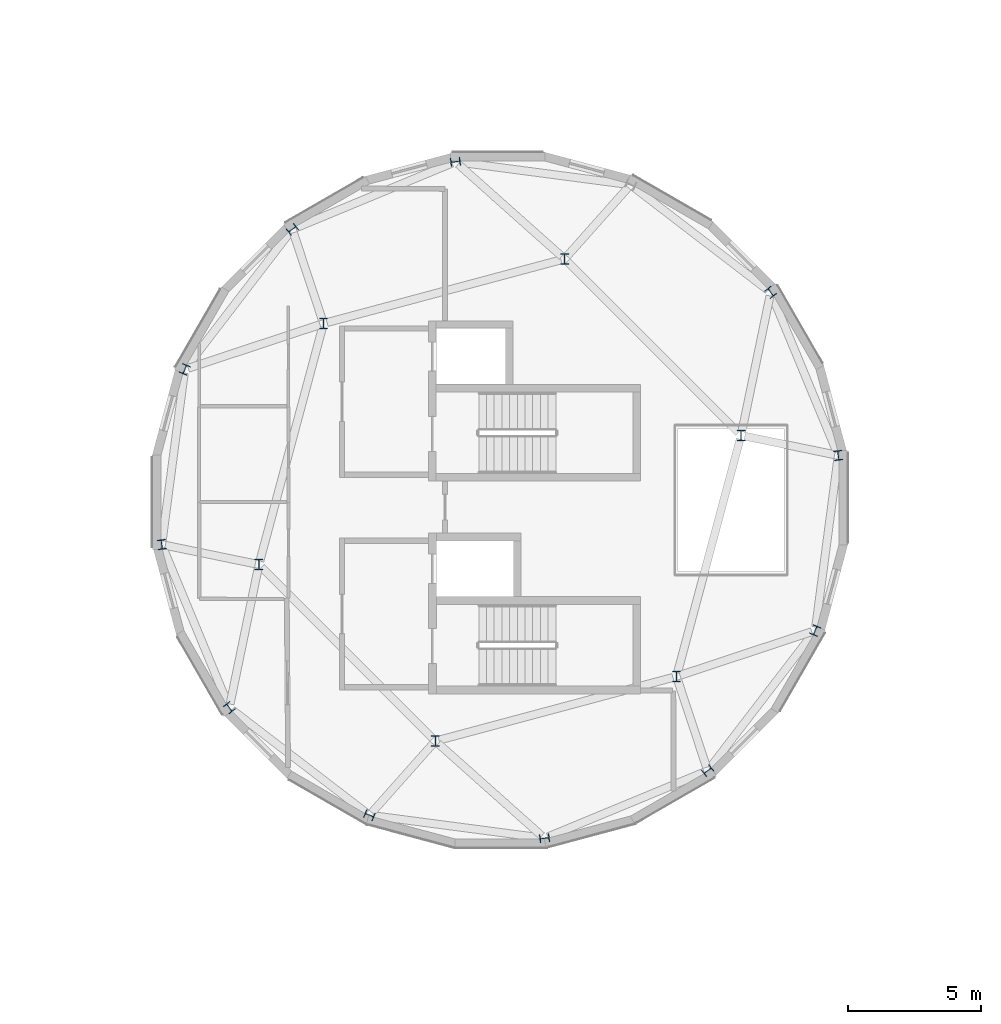
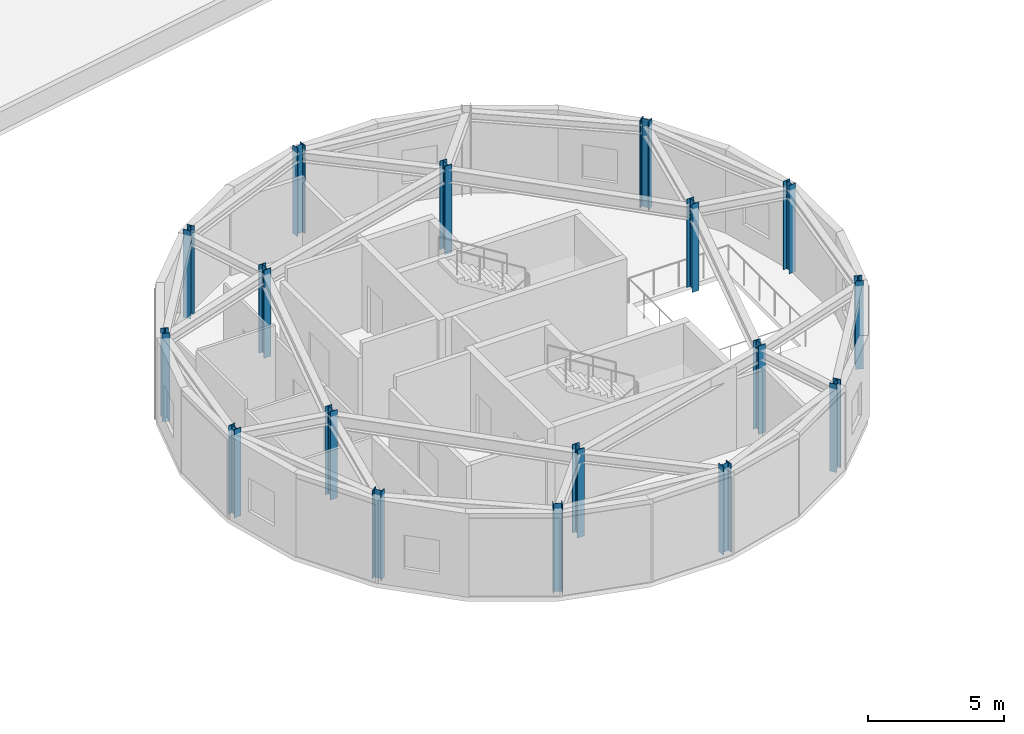
# One storey, part 1 of 11: 17 columns.
"""IFC4 building model written with IfcOpenShell, lengths in metres."""

from ifc_helpers import new_model, si_unit, direction, frame, origin, origin_2d, place, context, subcontext, project, spatial, i_section, extrude, material, material_profile, profile_set, type_object, element, save


model = new_model("IFC4")

# Units and contexts
model_context = context("Model", 3, precision=1e-05, world=origin(), true_north=direction((0.0, 1.0)))
body_context = subcontext(model_context, "Body", "Model", "MODEL_VIEW")
ifc_project = project(units=[si_unit("LENGTHUNIT", "METRE"), si_unit("AREAUNIT", "SQUARE_METRE"), si_unit("VOLUMEUNIT", "CUBIC_METRE"), si_unit("PLANEANGLEUNIT", "RADIAN"), si_unit("MASSUNIT", "GRAM", prefix="KILO")], contexts=[model_context])

# Site, building, storey
site_placement = place(None, origin())
site = spatial("IfcSite", under=ifc_project, at=site_placement, CompositionType="ELEMENT")
building_placement = place(site_placement, origin())
building = spatial("IfcBuilding", under=site, at=building_placement, Name="Varnklinge Art Gallery", CompositionType="ELEMENT")
storey_placement = place(building_placement, frame((0.0, 0.0, 17.639892578125)))
storey = spatial("IfcBuildingStorey", under=building, at=storey_placement, Name="L04", CompositionType="ELEMENT", Elevation=17.639892578125)

# Columns
ifc_material_1 = material(Name="Steel S355", Category="steel")
ifc_material_profile_1 = material_profile(ifc_material_1, i_section(OverallWidth=0.300048828125, OverallDepth=0.39990234375, WebThickness=0.013427734375, FlangeThickness=0.02392578125, FilletRadius=0.027099609375, at=origin_2d()), Name="HEB 400")
ifc_profile_set_1 = profile_set([ifc_material_profile_1], Name="Steel S355")
column_type_1 = type_object("IfcColumnType", Name="COL-07", PredefinedType="COLUMN", material=ifc_profile_set_1)
for number, where, z_axis, x_axis, name in (
    (1, (84.57958984375, 40.932861328125, 0.0), (0.0, 0.0, 1.0), (1.0, 0.0, 0.0), "L04 Column V4CI-1"),
    (2, (77.932861328125, 47.57958984375, 0.0), (0.0, 0.0, 1.0), (1.0, 0.0, 0.0), "L04 Column V4CI-2"),
    (3, (68.853271484375, 45.146728515625, 0.0), (0.0, 0.0, 1.0), (1.0, 0.0, 0.0), "L04 Column V4CI-3"),
    (4, (66.42041015625, 36.067138671875, 0.0), (0.0, 0.0, 1.0), (1.0, 0.0, 0.0), "L04 Column V4CI-4"),
    (5, (73.067138671875, 29.42041015625, 0.0), (0.0, 0.0, 1.0), (1.0, 0.0, 0.0), "L04 Column V4CI-5"),
    (6, (82.146728515625, 31.853271484375, 0.0), (0.0, 0.0, 1.0), (1.0, 0.0, 0.0), "L04 Column V4CI-6"),
):
    element("IfcColumn", number, at=place(storey_placement, frame(where, z_axis=z_axis, x_axis=x_axis)), inside=storey, type_object=column_type_1, Name=name, PredefinedType="COLUMN", context=body_context, shape_type="SweptSolid", body=[
        extrude(i_section(OverallWidth=0.300048828125, OverallDepth=0.39990234375, WebThickness=0.013427734375, FlangeThickness=0.02392578125, FilletRadius=0.027099609375, at=origin_2d()), origin(), (0.0, 0.0, 1.0), 3.960205078125),
    ])
ifc_material_2 = material(Name="Steel S355", Category="steel")
ifc_material_profile_2 = material_profile(ifc_material_2, i_section(OverallWidth=0.300048828125, OverallDepth=0.360107421875, WebThickness=0.012451171875, FlangeThickness=0.0224609375, FilletRadius=0.027099609375, at=origin_2d()), Name="HEB 360")
ifc_profile_set_2 = profile_set([ifc_material_profile_2], Name="Steel S355")
column_type_2 = type_object("IfcColumnType", Name="COL-E4", PredefinedType="COLUMN", material=ifc_profile_set_2)
for number, where, z_axis, x_axis, name in (
    (7, (88.239990234375, 40.17724609375, 0.0), (0.0, 0.0, 1.0), (0.991444861374, 0.13052619222, 0.0), "L04 Column V4CP-01"),
    (8, (85.694580078125, 46.322509765625, 0.0), (0.0, 0.0, 1.0), (0.793353340291, 0.608761429009, 0.0), "L04 Column V4CP-02"),
    (9, (73.82275390625, 51.239990234375, 0.0), (0.0, 0.0, 1.0), (-0.13052619222, 0.991444861374, 0.0), "L04 Column V4CP-04"),
    (10, (67.677490234375, 48.694580078125, 0.0), (0.0, 0.0, 1.0), (-0.608761429009, 0.793353340291, 0.0), "L04 Column V4CP-05"),
    (11, (63.628173828125, 43.41748046875, 0.0), (0.0, 0.0, 1.0), (-0.923879532511, 0.382683432365, 0.0), "L04 Column V4CP-06"),
    (12, (62.760009765625, 36.82275390625, 0.0), (0.0, 0.0, 1.0), (-0.991444861374, -0.13052619222, 0.0), "L04 Column V4CP-07"),
    (13, (65.305419921875, 30.677490234375, 0.0), (0.0, 0.0, 1.0), (-0.793353340291, -0.608761429009, 0.0), "L04 Column V4CP-08"),
    (14, (70.58251953125, 26.628173828125, 0.0), (0.0, 0.0, 1.0), (-0.382683432365, -0.923879532511, 0.0), "L04 Column V4CP-09"),
    (15, (77.17724609375, 25.760009765625, 0.0), (0.0, 0.0, 1.0), (0.13052619222, -0.991444861374, 0.0), "L04 Column V4CP-10"),
    (16, (83.322509765625, 28.305419921875, 0.0), (0.0, 0.0, 1.0), (0.608761429009, -0.793353340291, 0.0), "L04 Column V4CP-11"),
    (17, (87.371826171875, 33.58251953125, 0.0), (0.0, 0.0, 1.0), (0.923879532511, -0.382683432365, 0.0), "L04 Column V4CP-12"),
):
    element("IfcColumn", number, at=place(storey_placement, frame(where, z_axis=z_axis, x_axis=x_axis)), inside=storey, type_object=column_type_2, Name=name, PredefinedType="COLUMN", context=body_context, shape_type="SweptSolid", body=[
        extrude(i_section(OverallWidth=0.300048828125, OverallDepth=0.360107421875, WebThickness=0.012451171875, FlangeThickness=0.0224609375, FilletRadius=0.027099609375, at=origin_2d()), origin(), (0.0, 0.0, 1.0), 3.960205078125),
    ])

save(model, "model.ifc")
